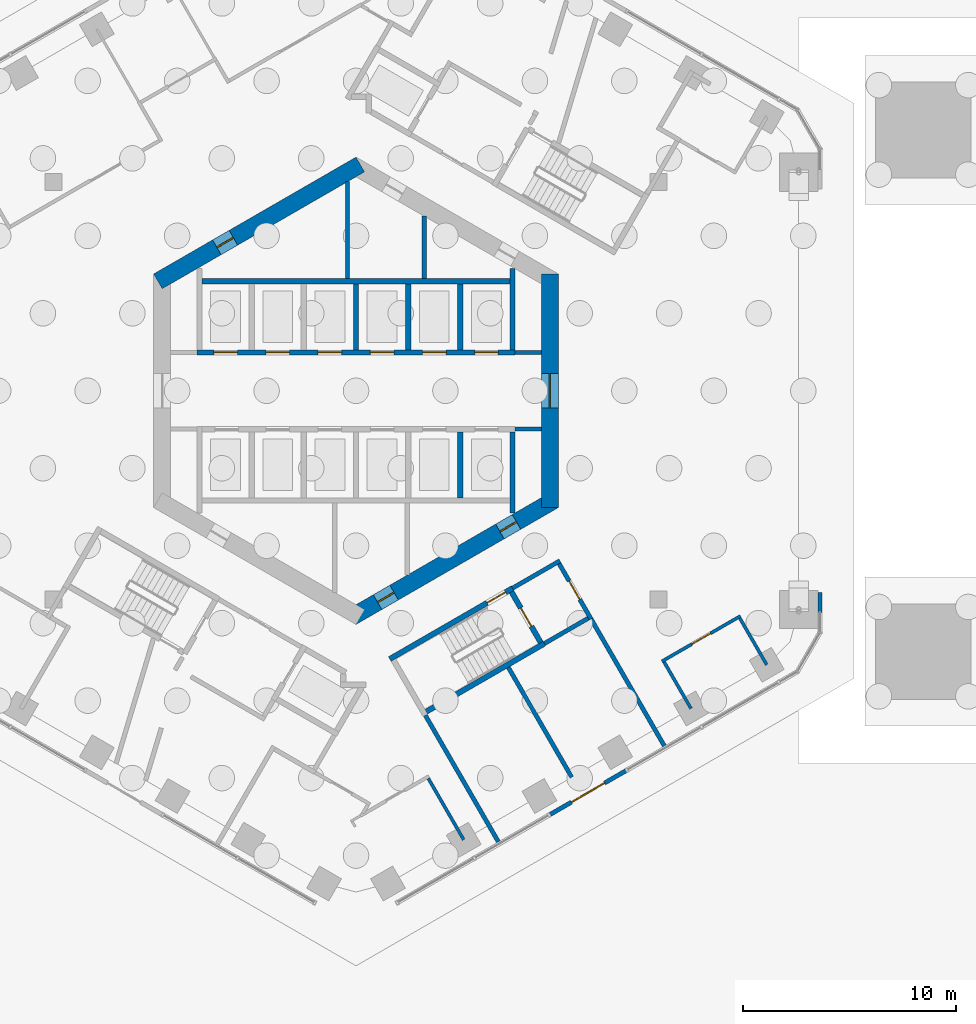
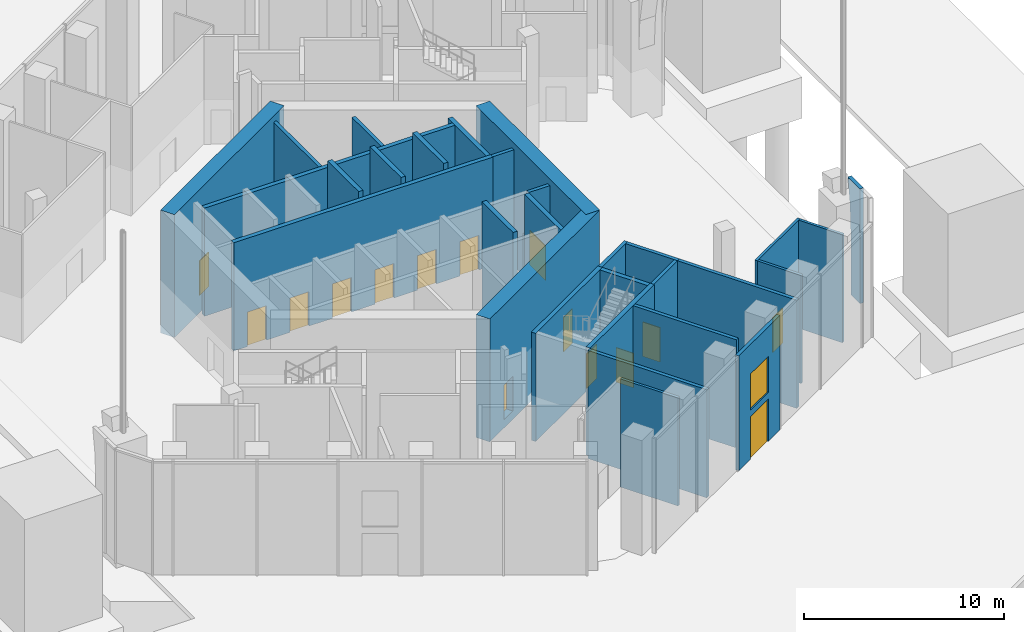
# One storey, part 10 of 18: 30 walls, 15 doors, 1 window, 16 openings.
"""IFC4 building model written with IfcOpenShell, lengths in metres."""

import ifcopenshell
import ifcopenshell.guid

model = None  # the IFC model being written
_history = None  # IfcOwnerHistory: only IFC2X3 demands one
_inside = {}  # id of a spatial element -> (the spatial element, [elements in it])
_under = {}  # id of a project, library or spatial element -> (it, [spatial elements below it])
_declared = {}  # id of a project -> (the project, [libraries it declares])
_typed = {}  # id of a type object -> (the type object, [elements of that type])
_made_of = {}  # id of a material, layer set ... -> (it, [elements and type objects made of it])


def new_model(schema):
    """Start an empty IFC model of exactly this schema.

    Asked for "IFC4X3", IfcOpenShell would pick the latest addendum, in which some entities
    have other attributes; the version numbers below select the first issue.
    IFC2X3 requires an IfcOwnerHistory on every rooted entity: one is made here for all.
    """
    global model, _history
    if schema == "IFC4X3":
        model = ifcopenshell.file(schema_version=(4, 3, 0, 0))
    else:
        model = ifcopenshell.file(schema=schema)
    _inside.clear()
    _under.clear()
    _declared.clear()
    _typed.clear()
    _made_of.clear()
    _history = None
    if model.schema == "IFC2X3":
        org = make("IfcOrganization", Name="unknown")
        user = make(
            "IfcPersonAndOrganization",
            ThePerson=make("IfcPerson", FamilyName="unknown"),
            TheOrganization=org,
        )
        app = make(
            "IfcApplication",
            ApplicationDeveloper=org,
            Version="unknown",
            ApplicationFullName="unknown",
            ApplicationIdentifier="unknown",
        )
        _history = make(
            "IfcOwnerHistory",
            OwningUser=user,
            OwningApplication=app,
            ChangeAction="ADDED",
            CreationDate=0,
        )
    return model


def make(cls, **values):
    """One entity of the class cls with the attributes given. An attribute that is None is left unset."""
    return model.create_entity(
        cls, **{name: value for name, value in values.items() if value is not None}
    )


def rooted(cls, **values):
    """An entity with a GlobalId (a new one), such as an element, a storey or a relation."""
    return make(cls, GlobalId=ifcopenshell.guid.new(), OwnerHistory=_history, **values)


def si_unit(unit_type, name, prefix=None):
    """IfcSIUnit, for example si_unit("LENGTHUNIT", "METRE", prefix="MILLI")."""
    return make("IfcSIUnit", UnitType=unit_type, Prefix=prefix, Name=name)


def assignment(units):
    """IfcUnitAssignment: the units of a project."""
    return None if units is None else make("IfcUnitAssignment", Units=units)


def point(xyz):
    """IfcCartesianPoint."""
    return None if xyz is None else make("IfcCartesianPoint", Coordinates=xyz)


def direction(xyz):
    """IfcDirection."""
    return None if xyz is None else make("IfcDirection", DirectionRatios=xyz)


def frame(location, z_axis=None, x_axis=None):
    """IfcAxis2Placement3D, a coordinate frame: its origin and axes. An axis left out is left unset."""
    return make(
        "IfcAxis2Placement3D",
        Location=point(location),
        Axis=direction(z_axis),
        RefDirection=direction(x_axis),
    )


def frame_2d(location, x_axis=None):
    """IfcAxis2Placement2D, a coordinate frame in the plane: its origin and x axis."""
    return make(
        "IfcAxis2Placement2D", Location=point(location), RefDirection=direction(x_axis)
    )


def origin():
    """The frame at (0, 0, 0) with its axes left unset."""
    return frame((0.0, 0.0, 0.0))


def place(relative_to, where):
    """IfcLocalPlacement: puts the frame where relative to a parent placement (None: the world)."""
    return make(
        "IfcLocalPlacement", PlacementRelTo=relative_to, RelativePlacement=where
    )


def context(
    kind, dimensions, precision=None, world=None, true_north=None, identifier=None
):
    """IfcGeometricRepresentationContext, for example the 3D "Model" context."""
    return make(
        "IfcGeometricRepresentationContext",
        ContextIdentifier=identifier,
        ContextType=kind,
        CoordinateSpaceDimension=dimensions,
        Precision=precision,
        WorldCoordinateSystem=world,
        TrueNorth=true_north,
    )


def subcontext(parent, identifier, kind, view, scale=None):
    """IfcGeometricRepresentationSubContext, for example "Body" below "Model"."""
    return make(
        "IfcGeometricRepresentationSubContext",
        ContextIdentifier=identifier,
        ContextType=kind,
        ParentContext=parent,
        TargetScale=scale,
        TargetView=view,
    )


def project(units=None, contexts=None):
    """IfcProject with its units and contexts."""
    return rooted(
        "IfcProject",
        Name="project",
        RepresentationContexts=contexts,
        UnitsInContext=assignment(units),
    )


def spatial(cls, under=None, at=None, **own):
    """A site, building, storey or space (cls), placed at a placement, below another one or the project."""
    s = rooted(cls, ObjectPlacement=at, **own)
    if under is not None:
        _under.setdefault(under.id(), (under, []))[1].append(s)
    return s


def polyline(points):
    """IfcPolyline through the points."""
    return make("IfcPolyline", Points=[point(p) for p in points])


def profile(cls, at=None, kind="AREA", **sizes):
    """A parametric profile (cls). Its sizes go by their IFC names, for example OverallWidth=200.0."""
    return make(cls, ProfileType=kind, Position=at, **sizes)


def rectangle(**sizes):
    """IfcRectangleProfileDef."""
    return profile("IfcRectangleProfileDef", **sizes)


def outline(outer, holes=None, kind="AREA"):
    """IfcArbitraryClosedProfileDef: a profile drawn as a closed curve; with holes, ...WithVoids."""
    if holes is None:
        return make("IfcArbitraryClosedProfileDef", ProfileType=kind, OuterCurve=outer)
    return make(
        "IfcArbitraryProfileDefWithVoids",
        ProfileType=kind,
        OuterCurve=outer,
        InnerCurves=holes,
    )


def extrude(swept, where, along, depth):
    """IfcExtrudedAreaSolid: the profile swept, set in the frame where, extruded along a direction by depth."""
    return make(
        "IfcExtrudedAreaSolid",
        SweptArea=swept,
        Position=where,
        ExtrudedDirection=direction(along),
        Depth=depth,
    )


def shape(context_of_items, identifier, shape_type, items):
    """IfcShapeRepresentation: the items that make up one representation, for example the "Body"."""
    return make(
        "IfcShapeRepresentation",
        ContextOfItems=context_of_items,
        RepresentationIdentifier=identifier,
        RepresentationType=shape_type,
        Items=items,
    )


def material(Name=None, Category=None):
    """IfcMaterial."""
    return make("IfcMaterial", Name=Name, Category=Category)


def layer(
    of_material, thickness, ventilated=None, Name=None, Category=None, Priority=None
):
    """IfcMaterialLayer: one layer of a wall or slab, of a material (None: an air gap)."""
    return make(
        "IfcMaterialLayer",
        Material=of_material,
        LayerThickness=thickness,
        IsVentilated=ventilated,
        Name=Name,
        Category=Category,
        Priority=Priority,
    )


def layer_set(layers, Name=None):
    """IfcMaterialLayerSet."""
    return make("IfcMaterialLayerSet", MaterialLayers=layers, LayerSetName=Name)


def made_of(thing, what):
    """Note that an element or type object is made of a material, layer set ...; save() writes the relation."""
    if what is not None:
        _made_of.setdefault(what.id(), (what, []))[1].append(thing)
    return thing


def type_object(cls, material=None, **own):
    """A type object (cls), such as IfcWallType, which elements share."""
    return made_of(rooted(cls, **own), material)


def element(
    cls,
    number,
    at=None,
    inside=None,
    cuts=None,
    type_object=None,
    material=None,
    context=None,
    identifier="Body",
    shape_type=None,
    held_by="IfcProductDefinitionShape",
    body=None,
    shapes=None,
    **own,
):
    """One element of the class cls, such as IfcWall. Its Tag is "e" and its number.

    at: its placement. inside: the storey or other place that contains it. cuts: it is an
    opening in that element (IfcRelVoidsElement). A single representation is given by context,
    identifier, shape_type and body (its items); several are given by shapes. held_by: the class
    of the entity that holds the representations. save() writes the other relations.
    """
    e = rooted(cls, Tag="e%d" % number, ObjectPlacement=at, **own)
    if body is not None:
        shapes = [shape(context, identifier, shape_type, body)]
    if shapes is not None:
        e.Representation = make(held_by, Representations=shapes)
    if inside is not None:
        _inside.setdefault(inside.id(), (inside, []))[1].append(e)
    if cuts is not None:
        rooted(
            "IfcRelVoidsElement", RelatingBuildingElement=cuts, RelatedOpeningElement=e
        )
    if type_object is not None:
        _typed.setdefault(type_object.id(), (type_object, []))[1].append(e)
    return made_of(e, material)


def fill(opening, filler):
    """IfcRelFillsElement: the door or window that sits in an opening."""
    return rooted(
        "IfcRelFillsElement",
        RelatingOpeningElement=opening,
        RelatedBuildingElement=filler,
    )


def aggregate(whole, parts):
    """IfcRelAggregates: a whole, such as a stair, and the parts it consists of."""
    return rooted("IfcRelAggregates", RelatingObject=whole, RelatedObjects=parts)


def save(model, path):
    """Write the relations noted so far, then the file.

    IfcRelAggregates (storeys below a building ...), IfcRelContainedInSpatialStructure (elements
    in a storey), IfcRelDefinesByType, IfcRelAssociatesMaterial and IfcRelDeclares: one each for
    every whole, place, type object, material and project.
    """
    for whole, parts in _under.values():
        aggregate(whole, parts)
    for where, things in _inside.values():
        rooted(
            "IfcRelContainedInSpatialStructure",
            RelatedElements=things,
            RelatingStructure=where,
        )
    for kind, things in _typed.values():
        rooted("IfcRelDefinesByType", RelatedObjects=things, RelatingType=kind)
    for what, things in _made_of.values():
        rooted("IfcRelAssociatesMaterial", RelatedObjects=things, RelatingMaterial=what)
    for by, libraries in _declared.values():
        rooted("IfcRelDeclares", RelatingContext=by, RelatedDefinitions=libraries)
    model.write(path)


model = new_model("IFC4")

# Units and contexts
model_context = context("Model", 3, precision=1e-05, world=origin(), true_north=direction((0.0, 1.0)))
body_context = subcontext(model_context, "Body", "Model", "MODEL_VIEW")
ifc_project = project(units=[si_unit("LENGTHUNIT", "METRE"), si_unit("AREAUNIT", "SQUARE_METRE"), si_unit("VOLUMEUNIT", "CUBIC_METRE"), si_unit("PLANEANGLEUNIT", "RADIAN"), si_unit("MASSUNIT", "GRAM", prefix="KILO")], contexts=[model_context])

# Site, building, storey
site_placement = place(None, origin())
site = spatial("IfcSite", under=ifc_project, at=site_placement, CompositionType="ELEMENT")
building_placement = place(site_placement, origin())
building = spatial("IfcBuilding", under=site, at=building_placement, Name="Ayvan Gate Tower", CompositionType="ELEMENT")
storey_placement = place(building_placement, origin())
storey = spatial("IfcBuildingStorey", under=building, at=storey_placement, Name="L00", CompositionType="ELEMENT", Elevation=0.0)

# Wall
ifc_material_1 = material(Name="Pale metal cladding on insulated wall")
ifc_layer_1 = layer(ifc_material_1, 0.199951171875)
ifc_layer_set_1 = layer_set([ifc_layer_1], Name="Pale metal cladding on insulated wall")
wall_type_1 = type_object("IfcWallType", Name="Arch tympanum wall 200", PredefinedType="SOLIDWALL", material=ifc_layer_set_1)
wall_1_placement = place(storey_placement, frame((21.6845703125, -10.399658203125, 7.0), z_axis=(-1.0, 0.0, 0.0), x_axis=(0.0, 1.0, 0.0)))
element("IfcWall", 1, at=wall_1_placement, inside=storey, type_object=wall_type_1, Name="Arch tympanum wall L00 face 0", PredefinedType="SOLIDWALL", context=body_context, shape_type="SweptSolid", body=[
    extrude(outline(polyline([(0.0, 0.0), (1.222900390625, 0.0), (1.2158203125, 0.028076171875), (0.994140625, 1.5068359375), (0.920166015625, 3.0), (0.920166015625, 7.0), (0.0, 7.0), (0.0, 0.0)])), origin(), (0.0, 0.0, -1.0), 0.199951171875),
])

# Wall, opening, door
ifc_material_2 = material(Name="Concrete C70/85", Category="concrete")
ifc_layer_2 = layer(ifc_material_2, 0.800048828125)
ifc_layer_set_2 = layer_set([ifc_layer_2], Name="Concrete C70/85")
wall_type_2 = type_object("IfcWallType", Name="Core wall 800 C70/85", PredefinedType="SHEAR", material=ifc_layer_set_2)
wall_2_placement = place(storey_placement, frame((9.10009765625, -5.48486328125, -0.5), z_axis=(0.0, 0.0, 1.0), x_axis=(0.0, 1.0, 0.0)))
wall_2 = element("IfcWall", 2, at=wall_2_placement, inside=storey, type_object=wall_type_2, Name="CORE-L00-0", PredefinedType="SHEAR", context=body_context, shape_type="SweptSolid", body=[
    extrude(rectangle(XDim=10.9697265625, YDim=0.800048828125, at=frame_2d((5.48486328125, 0.0))), origin(), (0.0, 0.0, 1.0), 7.5),
])
opening_1_placement = place(wall_2_placement, frame((4.684814453125, 0.0, 0.5)))
opening_1 = element("IfcOpeningElement", 3, at=opening_1_placement, cuts=wall_2, Name="Opening L00-D92", PredefinedType="OPENING", context=body_context, shape_type="SweptSolid", body=[
    extrude(rectangle(XDim=1.60009765625, YDim=2.10009765625, at=frame_2d((0.800048828125, 1.050048828125))), frame((0.0, 0.409912109375, 0.0), z_axis=(0.0, -1.0, 0.0), x_axis=(1.0, 0.0, 0.0)), (0.0, 0.0, 1.0), 0.820068359375),
])
ifc_material_3 = material(Name="Timber door leaf", Category="wood")
door_type_1 = type_object("IfcDoorType", Name="DT-1600", OperationType="NOTDEFINED", PredefinedType="DOOR", material=ifc_material_3)
door_1_placement = place(opening_1_placement, origin())
door_1 = element("IfcDoor", 4, at=door_1_placement, inside=storey, type_object=door_type_1, Name="CD-L00-92", OperationType="SINGLE_SWING_RIGHT", OverallHeight=2.10009765625, OverallWidth=1.60009765625, PredefinedType="DOOR", context=body_context, shape_type="SweptSolid", body=[
    extrude(rectangle(XDim=1.60009765625, YDim=2.10009765625, at=frame_2d((0.800048828125, 1.050048828125))), frame((0.0, 0.02490234375, 0.0), z_axis=(0.0, -1.0, 0.0), x_axis=(1.0, 0.0, 0.0)), (0.0, 0.0, 1.0), 0.050048828125),
])
fill(opening_1, door_1)

wall_3_placement = place(storey_placement, frame((0.199951171875, 10.623291015625, -0.5), z_axis=(0.0, 0.0, 1.0), x_axis=(-0.866023993627, -0.500002442456, 0.0)))
wall_3 = element("IfcWall", 5, at=wall_3_placement, inside=storey, type_object=wall_type_2, Name="CORE-L00-2", PredefinedType="SHEAR", context=body_context, shape_type="SweptSolid", body=[
    extrude(rectangle(XDim=10.9697265625, YDim=0.800048828125, at=frame_2d((5.48486328125, 0.0))), origin(), (0.0, 0.0, 1.0), 7.5),
])
opening_2_placement = place(wall_3_placement, frame((6.877197265625, 0.0, 0.5)))
opening_2 = element("IfcOpeningElement", 6, at=opening_2_placement, cuts=wall_3, Name="Opening L00-D86", PredefinedType="OPENING", context=body_context, shape_type="SweptSolid", body=[
    extrude(rectangle(XDim=0.89990234375, YDim=2.10009765625, at=frame_2d((0.449951171875, 1.050048828125))), frame((0.0, 0.409912109375, 0.0), z_axis=(0.0, -1.0, 0.0), x_axis=(1.0, 0.0, 0.0)), (0.0, 0.0, 1.0), 0.820068359375),
])
door_type_2 = type_object("IfcDoorType", Name="DT-900", OperationType="NOTDEFINED", PredefinedType="DOOR", material=ifc_material_3)
door_2_placement = place(opening_2_placement, origin())
door_2 = element("IfcDoor", 7, at=door_2_placement, inside=storey, type_object=door_type_2, Name="CD-L00-86", OperationType="SINGLE_SWING_RIGHT", OverallHeight=2.10009765625, OverallWidth=0.89990234375, PredefinedType="DOOR", context=body_context, shape_type="SweptSolid", body=[
    extrude(rectangle(XDim=0.89990234375, YDim=2.10009765625, at=frame_2d((0.449951171875, 1.050048828125))), frame((0.0, 0.02490234375, 0.0), z_axis=(0.0, -1.0, 0.0), x_axis=(1.0, 0.0, 0.0)), (0.0, 0.0, 1.0), 0.050048828125),
])
fill(opening_2, door_2)

# Wall, openings, doors
wall_4_placement = place(storey_placement, frame((-0.199951171875, -10.623291015625, -0.5), z_axis=(0.0, 0.0, 1.0), x_axis=(0.866023993627, 0.500002442456, 0.0)))
wall_4 = element("IfcWall", 8, at=wall_4_placement, inside=storey, type_object=wall_type_2, Name="CORE-L00-5", PredefinedType="SHEAR", context=body_context, shape_type="SweptSolid", body=[
    extrude(rectangle(XDim=10.9697265625, YDim=0.800048828125, at=frame_2d((5.48486328125, 0.0))), origin(), (0.0, 0.0, 1.0), 7.5),
])
opening_3_placement = place(wall_4_placement, frame((1.398193359375, 0.0, 0.5)))
opening_3 = element("IfcOpeningElement", 9, at=opening_3_placement, cuts=wall_4, Name="Opening L00-D90", PredefinedType="OPENING", context=body_context, shape_type="SweptSolid", body=[
    extrude(rectangle(XDim=0.89990234375, YDim=2.10009765625, at=frame_2d((0.449951171875, 1.050048828125))), frame((0.0, 0.409912109375, 0.0), z_axis=(0.0, -1.0, 0.0), x_axis=(1.0, 0.0, 0.0)), (0.0, 0.0, 1.0), 0.820068359375),
])
opening_4_placement = place(wall_4_placement, frame((8.031982421875, 0.0, 0.5)))
opening_4 = element("IfcOpeningElement", 10, at=opening_4_placement, cuts=wall_4, Name="Opening L00-D91", PredefinedType="OPENING", context=body_context, shape_type="SweptSolid", body=[
    extrude(rectangle(XDim=0.89990234375, YDim=2.10009765625, at=frame_2d((0.449951171875, 1.050048828125))), frame((0.0, 0.409912109375, 0.0), z_axis=(0.0, -1.0, 0.0), x_axis=(1.0, 0.0, 0.0)), (0.0, 0.0, 1.0), 0.820068359375),
])
door_3_placement = place(opening_3_placement, origin())
door_3 = element("IfcDoor", 11, at=door_3_placement, inside=storey, type_object=door_type_2, Name="CD-L00-90", OperationType="SINGLE_SWING_RIGHT", OverallHeight=2.10009765625, OverallWidth=0.89990234375, PredefinedType="DOOR", context=body_context, shape_type="SweptSolid", body=[
    extrude(rectangle(XDim=0.89990234375, YDim=2.10009765625, at=frame_2d((0.449951171875, 1.050048828125))), frame((0.0, 0.02490234375, 0.0), z_axis=(0.0, -1.0, 0.0), x_axis=(1.0, 0.0, 0.0)), (0.0, 0.0, 1.0), 0.050048828125),
])
fill(opening_3, door_3)
door_4_placement = place(opening_4_placement, origin())
door_4 = element("IfcDoor", 12, at=door_4_placement, inside=storey, type_object=door_type_2, Name="CD-L00-91", OperationType="SINGLE_SWING_LEFT", OverallHeight=2.10009765625, OverallWidth=0.89990234375, PredefinedType="DOOR", context=body_context, shape_type="SweptSolid", body=[
    extrude(rectangle(XDim=0.89990234375, YDim=2.10009765625, at=frame_2d((0.449951171875, 1.050048828125))), frame((0.0, 0.02490234375, 0.0), z_axis=(0.0, -1.0, 0.0), x_axis=(1.0, 0.0, 0.0)), (0.0, 0.0, 1.0), 0.050048828125),
])
fill(opening_4, door_4)

# Wall, openings, door, window
ifc_material_4 = material(Name="Insulated metal panel wall")
ifc_layer_3 = layer(ifc_material_4, 0.199951171875)
ifc_layer_set_3 = layer_set([ifc_layer_3], Name="Insulated metal panel wall")
wall_type_3 = type_object("IfcWallType", Name="Lobby entrance wall 200", PredefinedType="SOLIDWALL", material=ifc_layer_set_3)
wall_5_placement = place(storey_placement, frame((9.11376953125, -19.892822265625, 0.0), z_axis=(0.0, 0.0, 1.0), x_axis=(0.866036113234, 0.499981450231, 0.0)))
wall_5 = element("IfcWall", 13, at=wall_5_placement, inside=storey, type_object=wall_type_3, Name="EW:L00:5:ent", PredefinedType="SOLIDWALL", context=body_context, shape_type="SweptSolid", body=[
    extrude(rectangle(XDim=4.107177734375, YDim=0.199951171875, at=frame_2d((2.0537109375, 0.0))), origin(), (0.0, 0.0, 1.0), 7.0),
])
opening_5_placement = place(wall_5_placement, frame((1.153564453125, 0.0, 0.0)))
opening_5 = element("IfcOpeningElement", 14, at=opening_5_placement, cuts=wall_5, Name="Opening L00-D85", PredefinedType="OPENING", context=body_context, shape_type="SweptSolid", body=[
    extrude(rectangle(XDim=1.800048828125, YDim=2.60009765625, at=frame_2d((0.89990234375, 1.300048828125))), frame((0.0, 0.10986328125, 0.0), z_axis=(0.0, -1.0, 0.0), x_axis=(1.0, 0.0, 0.0)), (0.0, 0.0, 1.0), 0.219970703125),
])
opening_6_placement = place(wall_5_placement, frame((1.153564453125, 0.0, 3.0)))
opening_6 = element("IfcOpeningElement", 15, at=opening_6_placement, cuts=wall_5, Name="Opening W-E", PredefinedType="OPENING", context=body_context, shape_type="SweptSolid", body=[
    extrude(rectangle(XDim=1.800048828125, YDim=2.199951171875, at=frame_2d((0.89990234375, 1.10009765625))), frame((0.0, 0.10986328125, 0.0), z_axis=(0.0, -1.0, 0.0), x_axis=(1.0, 0.0, 0.0)), (0.0, 0.0, 1.0), 0.219970703125),
])
ifc_material_5 = material(Name="Bronze anodised aluminium and clear glass", Category="aluminium")
door_type_3 = type_object("IfcDoorType", Name="Entrance door pair D-E", OperationType="DOUBLE_DOOR_DOUBLE_SWING", PredefinedType="DOOR", material=ifc_material_5)
door_5_placement = place(opening_5_placement, origin())
door_5 = element("IfcDoor", 16, at=door_5_placement, inside=storey, type_object=door_type_3, Name="Entrance door 5", OperationType="DOUBLE_DOOR_DOUBLE_SWING", OverallHeight=2.60009765625, OverallWidth=1.800048828125, PredefinedType="DOOR", context=body_context, shape_type="SweptSolid", body=[
    extrude(rectangle(XDim=1.800048828125, YDim=2.60009765625, at=frame_2d((0.89990234375, 1.300048828125))), frame((0.0, 0.02490234375, 0.0), z_axis=(0.0, -1.0, 0.0), x_axis=(1.0, 0.0, 0.0)), (0.0, 0.0, 1.0), 0.050048828125),
])
fill(opening_5, door_5)
window_type = type_object("IfcWindowType", Name="Entrance transom light W-E", PartitioningType="SINGLE_PANEL", PredefinedType="WINDOW", material=ifc_material_5)
window_placement = place(opening_6_placement, origin())
window = element("IfcWindow", 17, at=window_placement, inside=storey, type_object=window_type, Name="Entrance transom light 5", OverallHeight=2.199951171875, OverallWidth=1.800048828125, PartitioningType="SINGLE_PANEL", PredefinedType="WINDOW", context=body_context, shape_type="SweptSolid", body=[
    extrude(rectangle(XDim=1.800048828125, YDim=2.199951171875, at=frame_2d((0.89990234375, 1.10009765625))), frame((0.0, 0.030029296875, 0.0), z_axis=(0.0, -1.0, 0.0), x_axis=(1.0, 0.0, 0.0)), (0.0, 0.0, 1.0), 0.06005859375),
])
fill(opening_6, window)

# Wall
ifc_material_6 = material(Name="Plasterboard on steel stud", Category="steel")
ifc_layer_4 = layer(ifc_material_6, 0.14990234375)
ifc_layer_set_4 = layer_set([ifc_layer_4], Name="Plasterboard on steel stud")
wall_type_4 = type_object("IfcWallType", Name="WT-CORR-150", PredefinedType="PARTITIONING", material=ifc_layer_set_4)
wall_6_placement = place(storey_placement, frame((3.394287109375, -18.200927734375, 0.0), z_axis=(0.0, 0.0, 1.0), x_axis=(0.500040251884, -0.866002163101, 0.0)))
element("IfcWall", 18, at=wall_6_placement, inside=storey, type_object=wall_type_4, Name="IW-L00-072", PredefinedType="PARTITIONING", context=body_context, shape_type="SweptSolid", body=[
    extrude(rectangle(XDim=3.324951171875, YDim=0.14990234375, at=frame_2d((1.66259765625, 0.0))), origin(), (0.0, 0.0, 1.0), 6.60009765625),
])

# Wall, opening, door
wall_7_placement = place(storey_placement, frame((14.36279296875, -12.705322265625, 0.0), z_axis=(0.0, 0.0, 1.0), x_axis=(0.866039469337, 0.499975636957, 0.0)))
wall_7 = element("IfcWall", 19, at=wall_7_placement, inside=storey, type_object=wall_type_4, Name="IW-L00-099", PredefinedType="PARTITIONING", context=body_context, shape_type="SweptSolid", body=[
    extrude(rectangle(XDim=4.257080078125, YDim=0.14990234375, at=frame_2d((2.12841796875, 0.0))), origin(), (0.0, 0.0, 1.0), 6.60009765625),
])
opening_7_placement = place(wall_7_placement, frame((1.628662109375, 0.0, 0.0)))
opening_7 = element("IfcOpeningElement", 20, at=opening_7_placement, cuts=wall_7, Name="Opening L00-D31", PredefinedType="OPENING", context=body_context, shape_type="SweptSolid", body=[
    extrude(rectangle(XDim=1.0, YDim=2.10009765625, at=frame_2d((0.5, 1.050048828125))), frame((0.0, 0.0849609375, 0.0), z_axis=(0.0, -1.0, 0.0), x_axis=(1.0, 0.0, 0.0)), (0.0, 0.0, 1.0), 0.169921875),
])
door_type_4 = type_object("IfcDoorType", Name="DT-1000", OperationType="NOTDEFINED", PredefinedType="DOOR", material=ifc_material_3)
door_6_placement = place(opening_7_placement, origin())
door_6 = element("IfcDoor", 21, at=door_6_placement, inside=storey, type_object=door_type_4, Name="ID-L00-031", OperationType="SINGLE_SWING_LEFT", OverallHeight=2.10009765625, OverallWidth=1.0, PredefinedType="DOOR", context=body_context, shape_type="SweptSolid", body=[
    extrude(rectangle(XDim=1.0, YDim=2.10009765625, at=frame_2d((0.5, 1.050048828125))), frame((0.0, 0.02490234375, 0.0), z_axis=(0.0, -1.0, 0.0), x_axis=(1.0, 0.0, 0.0)), (0.0, 0.0, 1.0), 0.050048828125),
])
fill(opening_7, door_6)

# Walls
wall_8_placement = place(storey_placement, frame((15.727783203125, -14.919677734375, 0.0), z_axis=(0.0, 0.0, 1.0), x_axis=(-0.500048846702, 0.865997200291, 0.0)))
element("IfcWall", 22, at=wall_8_placement, inside=storey, type_object=wall_type_4, Name="IW-L00-101", PredefinedType="PARTITIONING", context=body_context, shape_type="SweptSolid", body=[
    extrude(rectangle(XDim=2.525146484375, YDim=0.14990234375, at=frame_2d((1.2626953125, 0.0))), origin(), (0.0, 0.0, 1.0), 6.60009765625),
])
wall_9_placement = place(storey_placement, frame((18.022216796875, -10.67919921875, 0.0), z_axis=(0.0, 0.0, 1.0), x_axis=(0.499976333282, -0.866039067339, 0.0)))
element("IfcWall", 23, at=wall_9_placement, inside=storey, type_object=wall_type_4, Name="IW-L00-105", PredefinedType="PARTITIONING", context=body_context, shape_type="SweptSolid", body=[
    extrude(rectangle(XDim=2.52490234375, YDim=0.14990234375, at=frame_2d((1.262451171875, 0.0))), origin(), (0.0, 0.0, 1.0), 6.60009765625),
])
ifc_layer_5 = layer(ifc_material_6, 0.199951171875)
ifc_layer_set_5 = layer_set([ifc_layer_5], Name="Plasterboard on steel stud")
wall_type_5 = type_object("IfcWallType", Name="WT-PLUMB-200", PredefinedType="PLUMBINGWALL", material=ifc_layer_set_5)
wall_10_placement = place(storey_placement, frame((6.683349609375, -21.176025390625, 0.0), z_axis=(0.0, 0.0, 1.0), x_axis=(-0.499984476993, 0.866034365811, 0.0)))
element("IfcWall", 24, at=wall_10_placement, inside=storey, type_object=wall_type_5, Name="IW-L00-077", PredefinedType="PLUMBINGWALL", context=body_context, shape_type="SweptSolid", body=[
    extrude(rectangle(XDim=6.855712890625, YDim=0.199951171875, at=frame_2d((3.427734375, 0.0))), origin(), (0.0, 0.0, 1.0), 6.60009765625),
])
wall_11_placement = place(storey_placement, frame((7.152587890625, -12.98876953125, 0.0), z_axis=(0.0, 0.0, 1.0), x_axis=(0.500025049464, -0.866010940986, 0.0)))
element("IfcWall", 25, at=wall_11_placement, inside=storey, type_object=wall_type_5, Name="IW-L00-080", PredefinedType="PLUMBINGWALL", context=body_context, shape_type="SweptSolid", body=[
    extrude(rectangle(XDim=5.959716796875, YDim=0.199951171875, at=frame_2d((2.97998046875, 0.0))), origin(), (0.0, 0.0, 1.0), 6.60009765625),
])
wall_12_placement = place(storey_placement, frame((10.900634765625, -10.6806640625, 0.0), z_axis=(0.0, 0.0, 1.0), x_axis=(-0.866007538022, -0.500030943131, 0.0)))
element("IfcWall", 26, at=wall_12_placement, inside=storey, type_object=wall_type_5, Name="IW-L00-094", PredefinedType="PLUMBINGWALL", context=body_context, shape_type="SweptSolid", body=[
    extrude(rectangle(XDim=2.374755859375, YDim=0.199951171875, at=frame_2d((1.1875, 0.0))), origin(), (0.0, 0.0, 1.0), 6.60009765625),
])
wall_13_placement = place(storey_placement, frame((11.037353515625, -10.71728515625, 0.0), z_axis=(0.0, 0.0, 1.0), x_axis=(0.499989673903, -0.866031365477, 0.0)))
element("IfcWall", 27, at=wall_13_placement, inside=storey, type_object=wall_type_5, Name="IW-L00-095", PredefinedType="PLUMBINGWALL", context=body_context, shape_type="SweptSolid", body=[
    extrude(rectangle(XDim=6.880615234375, YDim=0.199951171875, at=frame_2d((3.4404296875, 0.0))), origin(), (0.0, 0.0, 1.0), 6.60009765625),
])
ifc_layer_6 = layer(ifc_material_6, 0.199951171875)
ifc_layer_set_6 = layer_set([ifc_layer_6], Name="Plasterboard on steel stud")
wall_type_6 = type_object("IfcWallType", Name="WT-RATED-200", PredefinedType="PARTITIONING", material=ifc_layer_set_6)
wall_14_placement = place(storey_placement, frame((-0.39990234375, 9.81494140625, 0.0), z_axis=(0.0, 0.0, 1.0), x_axis=(0.0, -1.0, 0.0)))
element("IfcWall", 28, at=wall_14_placement, inside=storey, type_object=wall_type_6, Name="IW-L00-045", PredefinedType="PARTITIONING", context=body_context, shape_type="SweptSolid", body=[
    extrude(rectangle(XDim=4.5400390625, YDim=0.199951171875, at=frame_2d((2.27001953125, 0.0))), origin(), (0.0, 0.0, 1.0), 6.60009765625),
])
wall_15_placement = place(storey_placement, frame((3.199951171875, 8.198486328125, 0.0), z_axis=(0.0, 0.0, 1.0), x_axis=(0.0, -1.0, 0.0)))
element("IfcWall", 29, at=wall_15_placement, inside=storey, type_object=wall_type_6, Name="IW-L00-071", PredefinedType="PARTITIONING", context=body_context, shape_type="SweptSolid", body=[
    extrude(rectangle(XDim=2.923583984375, YDim=0.199951171875, at=frame_2d((1.4619140625, 0.0))), origin(), (0.0, 0.0, 1.0), 6.60009765625),
])
wall_16_placement = place(storey_placement, frame((7.343994140625, -9.27001953125, 0.0), z_axis=(0.0, 0.0, 1.0), x_axis=(0.866005588531, 0.500034319456, 0.0)))
element("IfcWall", 30, at=wall_16_placement, inside=storey, type_object=wall_type_6, Name="IW-L00-083", PredefinedType="PARTITIONING", context=body_context, shape_type="SweptSolid", body=[
    extrude(rectangle(XDim=2.574951171875, YDim=0.199951171875, at=frame_2d((1.28759765625, 0.0))), origin(), (0.0, 0.0, 1.0), 6.60009765625),
])
for number, where, z_axis, x_axis, name in (
    (31, (7.474853515625, 1.800048828125, 0.0), (0.0, 0.0, 1.0), (1.0, 0.0, 0.0), "IW-L00-084"),
    (32, (8.699951171875, -1.800048828125, 0.0), (0.0, 0.0, 1.0), (-1.0, 0.0, 0.0), "IW-L00-090"),
):
    element("IfcWall", number, at=place(storey_placement, frame(where, z_axis=z_axis, x_axis=x_axis)), inside=storey, type_object=wall_type_6, Name=name, PredefinedType="PARTITIONING", context=body_context, shape_type="SweptSolid", body=[
        extrude(rectangle(XDim=1.22509765625, YDim=0.199951171875, at=frame_2d((0.612548828125, 0.0))), origin(), (0.0, 0.0, 1.0), 6.60009765625),
    ])

# Wall, opening, door
wall_17_placement = place(storey_placement, frame((9.537353515625, -8.119140625, 0.0), z_axis=(0.0, 0.0, 1.0), x_axis=(0.499990139034, -0.866031096941, 0.0)))
wall_17 = element("IfcWall", 33, at=wall_17_placement, inside=storey, type_object=wall_type_6, Name="IW-L00-092", PredefinedType="PARTITIONING", context=body_context, shape_type="SweptSolid", body=[
    extrude(rectangle(XDim=3.0, YDim=0.199951171875, at=frame_2d((1.5, 0.0))), origin(), (0.0, 0.0, 1.0), 6.60009765625),
])
opening_8_placement = place(wall_17_placement, frame((0.93505859375, 0.0, 0.0)))
opening_8 = element("IfcOpeningElement", 34, at=opening_8_placement, cuts=wall_17, Name="Opening L00-D22", PredefinedType="OPENING", context=body_context, shape_type="SweptSolid", body=[
    extrude(rectangle(XDim=1.0, YDim=2.10009765625, at=frame_2d((0.5, 1.050048828125))), frame((0.0, 0.10986328125, 0.0), z_axis=(0.0, -1.0, 0.0), x_axis=(1.0, 0.0, 0.0)), (0.0, 0.0, 1.0), 0.219970703125),
])
door_7_placement = place(opening_8_placement, origin())
door_7 = element("IfcDoor", 35, at=door_7_placement, inside=storey, type_object=door_type_4, Name="ID-L00-022", OperationType="SINGLE_SWING_RIGHT", OverallHeight=2.10009765625, OverallWidth=1.0, PredefinedType="DOOR", context=body_context, shape_type="SweptSolid", body=[
    extrude(rectangle(XDim=1.0, YDim=2.10009765625, at=frame_2d((0.5, 1.050048828125))), frame((0.0, 0.02490234375, 0.0), z_axis=(0.0, -1.0, 0.0), x_axis=(1.0, 0.0, 0.0)), (0.0, 0.0, 1.0), 0.050048828125),
])
fill(opening_8, door_7)

# Wall, openings, doors
ifc_material_7 = material(Name="Concrete C50/60", Category="concrete")
ifc_layer_7 = layer(ifc_material_7, 0.25)
ifc_layer_set_7 = layer_set([ifc_layer_7], Name="Concrete C50/60")
wall_type_7 = type_object("IfcWallType", Name="WT-RC-250", PredefinedType="SHEAR", material=ifc_layer_set_7)
wall_18_placement = place(storey_placement, frame((-7.47509765625, 1.800048828125, 0.0), z_axis=(0.0, 0.0, 1.0), x_axis=(1.0, 0.0, 0.0)))
wall_18 = element("IfcWall", 36, at=wall_18_placement, inside=storey, type_object=wall_type_7, Name="IW-L00-017", PredefinedType="SHEAR", context=body_context, shape_type="SweptSolid", body=[
    extrude(rectangle(XDim=14.9501953125, YDim=0.25, at=frame_2d((7.47509765625, 0.0))), origin(), (0.0, 0.0, 1.0), 6.60009765625),
])
opening_9_placement = place(wall_18_placement, frame((0.800048828125, 0.0, 0.0)))
opening_9 = element("IfcOpeningElement", 37, at=opening_9_placement, cuts=wall_18, Name="Opening L00-LD-HR1", PredefinedType="OPENING", context=body_context, shape_type="SweptSolid", body=[
    extrude(rectangle(XDim=1.10009765625, YDim=2.10009765625, at=frame_2d((0.550048828125, 1.050048828125))), frame((0.0, 0.135009765625, 0.0), z_axis=(0.0, -1.0, 0.0), x_axis=(1.0, 0.0, 0.0)), (0.0, 0.0, 1.0), 0.27001953125),
])
opening_10_placement = place(wall_18_placement, frame((3.25, 0.0, 0.0)))
opening_10 = element("IfcOpeningElement", 38, at=opening_10_placement, cuts=wall_18, Name="Opening L00-LD-HR2", PredefinedType="OPENING", context=body_context, shape_type="SweptSolid", body=[
    extrude(rectangle(XDim=1.10009765625, YDim=2.10009765625, at=frame_2d((0.550048828125, 1.050048828125))), frame((0.0, 0.135009765625, 0.0), z_axis=(0.0, -1.0, 0.0), x_axis=(1.0, 0.0, 0.0)), (0.0, 0.0, 1.0), 0.27001953125),
])
opening_11_placement = place(wall_18_placement, frame((5.7001953125, 0.0, 0.0)))
opening_11 = element("IfcOpeningElement", 39, at=opening_11_placement, cuts=wall_18, Name="Opening L00-LD-HR3", PredefinedType="OPENING", context=body_context, shape_type="SweptSolid", body=[
    extrude(rectangle(XDim=1.10009765625, YDim=2.10009765625, at=frame_2d((0.550048828125, 1.050048828125))), frame((0.0, 0.135009765625, 0.0), z_axis=(0.0, -1.0, 0.0), x_axis=(1.0, 0.0, 0.0)), (0.0, 0.0, 1.0), 0.27001953125),
])
opening_12_placement = place(wall_18_placement, frame((8.150146484375, 0.0, 0.0)))
opening_12 = element("IfcOpeningElement", 40, at=opening_12_placement, cuts=wall_18, Name="Opening L00-LD-HR4", PredefinedType="OPENING", context=body_context, shape_type="SweptSolid", body=[
    extrude(rectangle(XDim=1.10009765625, YDim=2.10009765625, at=frame_2d((0.550048828125, 1.050048828125))), frame((0.0, 0.135009765625, 0.0), z_axis=(0.0, -1.0, 0.0), x_axis=(1.0, 0.0, 0.0)), (0.0, 0.0, 1.0), 0.27001953125),
])
opening_13_placement = place(wall_18_placement, frame((10.60009765625, 0.0, 0.0)))
opening_13 = element("IfcOpeningElement", 41, at=opening_13_placement, cuts=wall_18, Name="Opening L00-LD-HR5", PredefinedType="OPENING", context=body_context, shape_type="SweptSolid", body=[
    extrude(rectangle(XDim=1.10009765625, YDim=2.10009765625, at=frame_2d((0.550048828125, 1.050048828125))), frame((0.0, 0.135009765625, 0.0), z_axis=(0.0, -1.0, 0.0), x_axis=(1.0, 0.0, 0.0)), (0.0, 0.0, 1.0), 0.27001953125),
])
opening_14_placement = place(wall_18_placement, frame((13.050048828125, 0.0, 0.0)))
opening_14 = element("IfcOpeningElement", 42, at=opening_14_placement, cuts=wall_18, Name="Opening L00-LD-HR6", PredefinedType="OPENING", context=body_context, shape_type="SweptSolid", body=[
    extrude(rectangle(XDim=1.10009765625, YDim=2.10009765625, at=frame_2d((0.550048828125, 1.050048828125))), frame((0.0, 0.135009765625, 0.0), z_axis=(0.0, -1.0, 0.0), x_axis=(1.0, 0.0, 0.0)), (0.0, 0.0, 1.0), 0.27001953125),
])
ifc_material_8 = material(Name="Stainless steel landing door", Category="steel")
door_type_5 = type_object("IfcDoorType", Name="DT-LANDING-1100", OperationType="SLIDING_TO_LEFT", PredefinedType="DOOR", material=ifc_material_8)
door_8_placement = place(opening_9_placement, origin())
door_8 = element("IfcDoor", 43, at=door_8_placement, inside=storey, type_object=door_type_5, Name="ID-L00-001", OperationType="SLIDING_TO_LEFT", OverallHeight=2.10009765625, OverallWidth=1.10009765625, PredefinedType="DOOR", context=body_context, shape_type="SweptSolid", body=[
    extrude(rectangle(XDim=1.10009765625, YDim=2.10009765625, at=frame_2d((0.550048828125, 1.050048828125))), frame((0.0, 0.02490234375, 0.0), z_axis=(0.0, -1.0, 0.0), x_axis=(1.0, 0.0, 0.0)), (0.0, 0.0, 1.0), 0.050048828125),
])
fill(opening_9, door_8)
door_9_placement = place(opening_10_placement, origin())
door_9 = element("IfcDoor", 44, at=door_9_placement, inside=storey, type_object=door_type_5, Name="ID-L00-002", OperationType="SLIDING_TO_LEFT", OverallHeight=2.10009765625, OverallWidth=1.10009765625, PredefinedType="DOOR", context=body_context, shape_type="SweptSolid", body=[
    extrude(rectangle(XDim=1.10009765625, YDim=2.10009765625, at=frame_2d((0.550048828125, 1.050048828125))), frame((0.0, 0.02490234375, 0.0), z_axis=(0.0, -1.0, 0.0), x_axis=(1.0, 0.0, 0.0)), (0.0, 0.0, 1.0), 0.050048828125),
])
fill(opening_10, door_9)
door_10_placement = place(opening_11_placement, origin())
door_10 = element("IfcDoor", 45, at=door_10_placement, inside=storey, type_object=door_type_5, Name="ID-L00-003", OperationType="SLIDING_TO_LEFT", OverallHeight=2.10009765625, OverallWidth=1.10009765625, PredefinedType="DOOR", context=body_context, shape_type="SweptSolid", body=[
    extrude(rectangle(XDim=1.10009765625, YDim=2.10009765625, at=frame_2d((0.550048828125, 1.050048828125))), frame((0.0, 0.02490234375, 0.0), z_axis=(0.0, -1.0, 0.0), x_axis=(1.0, 0.0, 0.0)), (0.0, 0.0, 1.0), 0.050048828125),
])
fill(opening_11, door_10)
door_11_placement = place(opening_12_placement, origin())
door_11 = element("IfcDoor", 46, at=door_11_placement, inside=storey, type_object=door_type_5, Name="ID-L00-004", OperationType="SLIDING_TO_LEFT", OverallHeight=2.10009765625, OverallWidth=1.10009765625, PredefinedType="DOOR", context=body_context, shape_type="SweptSolid", body=[
    extrude(rectangle(XDim=1.10009765625, YDim=2.10009765625, at=frame_2d((0.550048828125, 1.050048828125))), frame((0.0, 0.02490234375, 0.0), z_axis=(0.0, -1.0, 0.0), x_axis=(1.0, 0.0, 0.0)), (0.0, 0.0, 1.0), 0.050048828125),
])
fill(opening_12, door_11)
door_12_placement = place(opening_13_placement, origin())
door_12 = element("IfcDoor", 47, at=door_12_placement, inside=storey, type_object=door_type_5, Name="ID-L00-005", OperationType="SLIDING_TO_LEFT", OverallHeight=2.10009765625, OverallWidth=1.10009765625, PredefinedType="DOOR", context=body_context, shape_type="SweptSolid", body=[
    extrude(rectangle(XDim=1.10009765625, YDim=2.10009765625, at=frame_2d((0.550048828125, 1.050048828125))), frame((0.0, 0.02490234375, 0.0), z_axis=(0.0, -1.0, 0.0), x_axis=(1.0, 0.0, 0.0)), (0.0, 0.0, 1.0), 0.050048828125),
])
fill(opening_13, door_12)
door_13_placement = place(opening_14_placement, origin())
door_13 = element("IfcDoor", 48, at=door_13_placement, inside=storey, type_object=door_type_5, Name="ID-L00-006", OperationType="SLIDING_TO_LEFT", OverallHeight=2.10009765625, OverallWidth=1.10009765625, PredefinedType="DOOR", context=body_context, shape_type="SweptSolid", body=[
    extrude(rectangle(XDim=1.10009765625, YDim=2.10009765625, at=frame_2d((0.550048828125, 1.050048828125))), frame((0.0, 0.02490234375, 0.0), z_axis=(0.0, -1.0, 0.0), x_axis=(1.0, 0.0, 0.0)), (0.0, 0.0, 1.0), 0.050048828125),
])
fill(opening_14, door_13)

# Walls
wall_19_placement = place(storey_placement, frame((-7.22509765625, 5.14990234375, 0.0), z_axis=(0.0, 0.0, 1.0), x_axis=(1.0, 0.0, 0.0)))
element("IfcWall", 49, at=wall_19_placement, inside=storey, type_object=wall_type_7, Name="IW-L00-020", PredefinedType="SHEAR", context=body_context, shape_type="SweptSolid", body=[
    extrude(rectangle(XDim=14.7001953125, YDim=0.25, at=frame_2d((7.35009765625, 0.0))), origin(), (0.0, 0.0, 1.0), 6.60009765625),
])
wall_20_placement = place(storey_placement, frame((0.0, 5.02490234375, 0.0), z_axis=(0.0, 0.0, 1.0), x_axis=(0.0, -1.0, 0.0)))
element("IfcWall", 50, at=wall_20_placement, inside=storey, type_object=wall_type_7, Name="IW-L00-051", PredefinedType="SHEAR", context=body_context, shape_type="SweptSolid", body=[
    extrude(rectangle(XDim=3.099853515625, YDim=0.25, at=frame_2d((1.5498046875, 0.0))), origin(), (0.0, 0.0, 1.0), 7.0),
])

# Wall, opening, door
wall_21_placement = place(storey_placement, frame((1.584716796875, -12.594970703125, 0.0), z_axis=(0.0, 0.0, 1.0), x_axis=(0.866036417653, 0.499980922934, 0.0)))
wall_21 = element("IfcWall", 51, at=wall_21_placement, inside=storey, type_object=wall_type_7, Name="IW-L00-063", PredefinedType="SHEAR", context=body_context, shape_type="SweptSolid", body=[
    extrude(rectangle(XDim=6.650146484375, YDim=0.25, at=frame_2d((3.3251953125, 0.0))), origin(), (0.0, 0.0, 1.0), 6.60009765625),
])
opening_15_placement = place(wall_21_placement, frame((5.27490234375, 0.0, 0.0)))
opening_15 = element("IfcOpeningElement", 52, at=opening_15_placement, cuts=wall_21, Name="Opening L00-D21", PredefinedType="OPENING", context=body_context, shape_type="SweptSolid", body=[
    extrude(rectangle(XDim=1.0, YDim=2.10009765625, at=frame_2d((0.5, 1.050048828125))), frame((0.0, 0.135009765625, 0.0), z_axis=(0.0, -1.0, 0.0), x_axis=(1.0, 0.0, 0.0)), (0.0, 0.0, 1.0), 0.27001953125),
])
door_14_placement = place(opening_15_placement, origin())
door_14 = element("IfcDoor", 53, at=door_14_placement, inside=storey, type_object=door_type_4, Name="ID-L00-021", OperationType="SINGLE_SWING_LEFT", OverallHeight=2.10009765625, OverallWidth=1.0, PredefinedType="DOOR", context=body_context, shape_type="SweptSolid", body=[
    extrude(rectangle(XDim=1.0, YDim=2.10009765625, at=frame_2d((0.5, 1.050048828125))), frame((0.0, 0.02490234375, 0.0), z_axis=(0.0, -1.0, 0.0), x_axis=(1.0, 0.0, 0.0)), (0.0, 0.0, 1.0), 0.050048828125),
])
fill(opening_15, door_14)

# Walls
for number, where, z_axis, x_axis, name in (
    (54, (2.449951171875, 5.02490234375, 0.0), (0.0, 0.0, 1.0), (0.0, -1.0, 0.0), "IW-L00-066"),
    (55, (4.89990234375, -1.925048828125, 0.0), (0.0, 0.0, 1.0), (0.0, -1.0, 0.0), "IW-L00-075"),
    (56, (4.89990234375, 5.02490234375, 0.0), (0.0, 0.0, 1.0), (0.0, -1.0, 0.0), "IW-L00-076"),
):
    element("IfcWall", number, at=place(storey_placement, frame(where, z_axis=z_axis, x_axis=x_axis)), inside=storey, type_object=wall_type_7, Name=name, PredefinedType="SHEAR", context=body_context, shape_type="SweptSolid", body=[
        extrude(rectangle(XDim=3.099853515625, YDim=0.25, at=frame_2d((1.5498046875, 0.0))), origin(), (0.0, 0.0, 1.0), 7.0),
    ])
wall_22_placement = place(storey_placement, frame((3.30126953125, -15.068115234375, 0.0), z_axis=(0.0, 0.0, 1.0), x_axis=(0.866035036182, 0.499983315828, 0.0)))
element("IfcWall", 57, at=wall_22_placement, inside=storey, type_object=wall_type_7, Name="IW-L00-081", PredefinedType="SHEAR", context=body_context, shape_type="SweptSolid", body=[
    extrude(rectangle(XDim=6.400146484375, YDim=0.25, at=frame_2d((3.2001953125, 0.0))), origin(), (0.0, 0.0, 1.0), 6.60009765625),
])

# Wall, opening, door
wall_23_placement = place(storey_placement, frame((7.298095703125, -9.44091796875, 0.0), z_axis=(0.0, 0.0, 1.0), x_axis=(0.500034990121, -0.866005201286, 0.0)))
wall_23 = element("IfcWall", 58, at=wall_23_placement, inside=storey, type_object=wall_type_7, Name="IW-L00-082", PredefinedType="SHEAR", context=body_context, shape_type="SweptSolid", body=[
    extrude(rectangle(XDim=2.749755859375, YDim=0.25, at=frame_2d((1.375, 0.0))), origin(), (0.0, 0.0, 1.0), 6.60009765625),
])
opening_16_placement = place(wall_23_placement, frame((0.875, 0.0, 0.0)))
opening_16 = element("IfcOpeningElement", 59, at=opening_16_placement, cuts=wall_23, Name="Opening L00-D23", PredefinedType="OPENING", context=body_context, shape_type="SweptSolid", body=[
    extrude(rectangle(XDim=1.0, YDim=2.10009765625, at=frame_2d((0.5, 1.050048828125))), frame((0.0, 0.135009765625, 0.0), z_axis=(0.0, -1.0, 0.0), x_axis=(1.0, 0.0, 0.0)), (0.0, 0.0, 1.0), 0.27001953125),
])
door_15_placement = place(opening_16_placement, origin())
door_15 = element("IfcDoor", 60, at=door_15_placement, inside=storey, type_object=door_type_4, Name="ID-L00-023", OperationType="SINGLE_SWING_LEFT", OverallHeight=2.10009765625, OverallWidth=1.0, PredefinedType="DOOR", context=body_context, shape_type="SweptSolid", body=[
    extrude(rectangle(XDim=1.0, YDim=2.10009765625, at=frame_2d((0.5, 1.050048828125))), frame((0.0, 0.02490234375, 0.0), z_axis=(0.0, -1.0, 0.0), x_axis=(1.0, 0.0, 0.0)), (0.0, 0.0, 1.0), 0.050048828125),
])
fill(opening_16, door_15)

# Walls
for number, where, z_axis, x_axis, name in (
    (61, (7.35009765625, -1.925048828125, 0.0), (0.0, 0.0, 1.0), (0.0, -1.0, 0.0), "IW-L00-085"),
    (62, (7.35009765625, 5.730224609375, 0.0), (0.0, 0.0, 1.0), (0.0, -1.0, 0.0), "IW-L00-086"),
):
    element("IfcWall", number, at=place(storey_placement, frame(where, z_axis=z_axis, x_axis=x_axis)), inside=storey, type_object=wall_type_7, Name=name, PredefinedType="SHEAR", context=body_context, shape_type="SweptSolid", body=[
        extrude(rectangle(XDim=3.80517578125, YDim=0.25, at=frame_2d((1.902587890625, 0.0))), origin(), (0.0, 0.0, 1.0), 6.60009765625),
    ])

save(model, "model.ifc")
